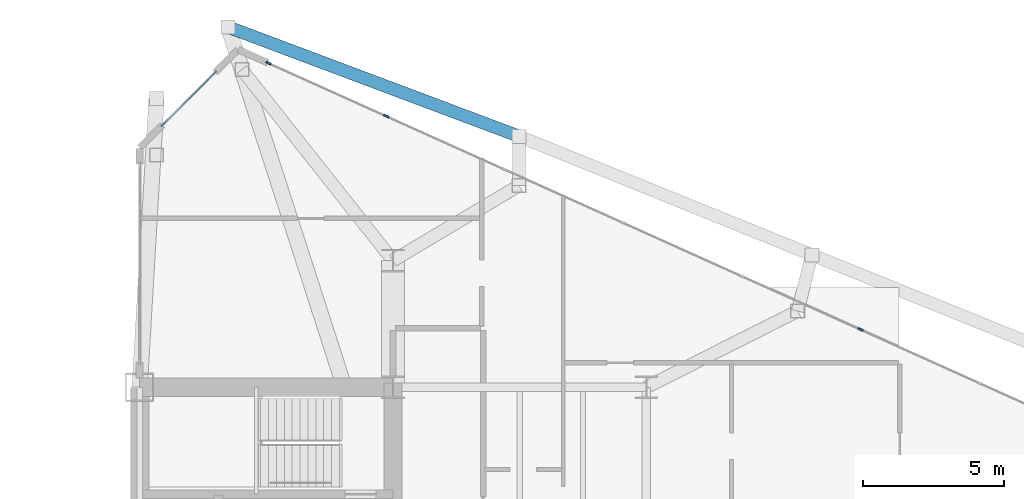
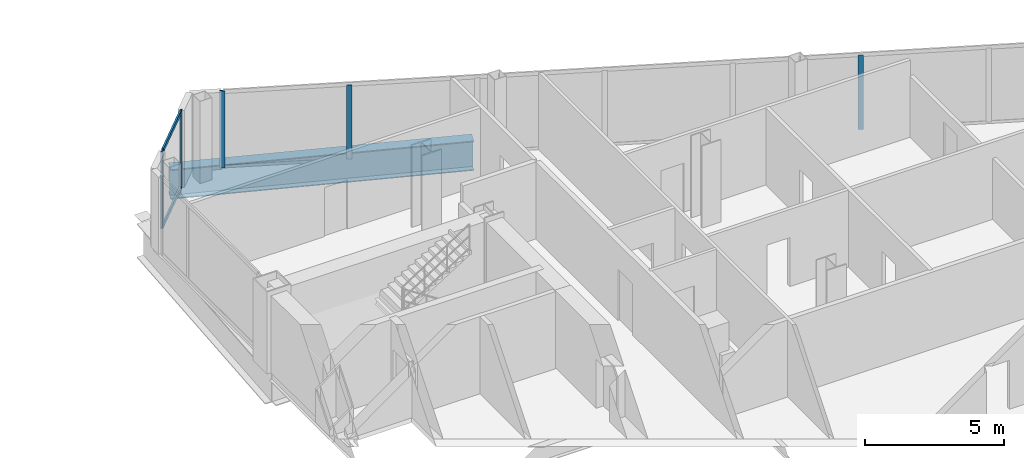
# One storey, part 16 of 29: 7 members, 1 beam, 2 elements without a shape of their own.
"""IFC4 building model written with IfcOpenShell, lengths in metres."""

from ifc_helpers import new_model, si_unit, direction, frame, origin, origin_2d, place, context, subcontext, project, spatial, rectangle, i_section, extrude, source, transform, mapped, material, layer, layer_set, material_profile, profile_set, type_object, type_shapes, element, aggregate, save


model = new_model("IFC4")

# Units and contexts
model_context = context("Model", 3, precision=1e-05, world=origin(), true_north=direction((0.0, 1.0)))
body_context = subcontext(model_context, "Body", "Model", "MODEL_VIEW")
ifc_project = project(units=[si_unit("LENGTHUNIT", "METRE"), si_unit("AREAUNIT", "SQUARE_METRE"), si_unit("VOLUMEUNIT", "CUBIC_METRE"), si_unit("PLANEANGLEUNIT", "RADIAN"), si_unit("MASSUNIT", "GRAM", prefix="KILO")], contexts=[model_context])

# Site, building, storey
site_placement = place(None, origin())
site = spatial("IfcSite", under=ifc_project, at=site_placement, CompositionType="ELEMENT")
building_placement = place(site_placement, origin())
building = spatial("IfcBuilding", under=site, at=building_placement, Name="Seokmaru Belvedere", CompositionType="ELEMENT")
storey_placement = place(building_placement, frame((0.0, 0.0, 62.10009765625)))
storey = spatial("IfcBuildingStorey", under=building, at=storey_placement, Name="L16", CompositionType="ELEMENT", Elevation=62.10009765625)

# Beam
ifc_material_1 = material(Name="Steel HSA650 (650 MPa)", Category="steel")
ifc_material_profile_1 = material_profile(ifc_material_1, i_section(OverallWidth=0.449951171875, OverallDepth=1.300048828125, WebThickness=0.02197265625, FlangeThickness=0.0380859375, at=origin_2d()), Name="BH-1300x450x22x38")
ifc_profile_set_1 = profile_set([ifc_material_profile_1], Name="Steel HSA650 (650 MPa)")
beam_type = type_object("IfcBeamType", Name="Observatory Long-Span Roof Girder BH-1300", PredefinedType="BEAM", material=ifc_profile_set_1)
shared_shape_1 = source(origin(), body_context, "Body", "SweptSolid", [
    extrude(i_section(OverallWidth=0.449951171875, OverallDepth=1.300048828125, WebThickness=0.02197265625, FlangeThickness=0.0380859375, at=origin_2d()), origin(), (0.0, 0.0, 1.0), 11.03857421875),
])
type_shapes(beam_type, [shared_shape_1])
beam_placement = place(storey_placement, frame((30.643310546875, 26.294677734375, -0.8701171875), z_axis=(0.936169110734, -0.351549990907, 0.0), x_axis=(0.351549990907, 0.936169110734, 0.0)))
element("IfcBeam", 1, at=beam_placement, inside=storey, type_object=beam_type, Name="L16 E Faceted Flank Spandrel N-1", PredefinedType="BEAM", context=body_context, shape_type="MappedRepresentation", body=[
    mapped(shared_shape_1, transform((0.0, 0.0, 0.0), scale=1.0)),
])

# Curtain wall, member
ifc_material_2 = material(Name="Bronze Triple Insulating Glass", Category="glass")
ifc_layer = layer(ifc_material_2, 0.195068359375)
ifc_layer_set = layer_set([ifc_layer], Name="Bronze Triple Insulating Glass")
curtain_wall_type = type_object("IfcCurtainWallType", Name="Lower-Mid Tapered Curtain Wall System CW-3", PredefinedType="NOTDEFINED", material=ifc_layer_set)
curtain_wall_1_placement = place(storey_placement, origin())
curtain_wall_1 = element("IfcCurtainWall", 2, at=curtain_wall_1_placement, inside=storey, type_object=curtain_wall_type, Name="L16 Curtain Wall EF3", PredefinedType="NOTDEFINED")
ifc_material_3 = material(Name="Anodised Bronze Aluminium", Category="aluminium")
ifc_material_profile_2 = material_profile(ifc_material_3, rectangle(XDim=0.070068359375, YDim=0.195068359375, at=origin_2d()), Name="CW-M-70x195")
ifc_profile_set_2 = profile_set([ifc_material_profile_2], Name="Anodised Bronze Aluminium")
member_type_1 = type_object("IfcMemberType", Name="Bronze Unitised Mullion 70x195", PredefinedType="MULLION", material=ifc_profile_set_2)
shared_shape_2 = source(origin(), body_context, "Body", "SweptSolid", [
    extrude(rectangle(XDim=0.070068359375, YDim=0.195068359375, at=origin_2d()), origin(), (0.0, 0.0, 1.0), 3.3798828125),
])
member_1_placement = place(storey_placement, frame((32.08056640625, 25.013671875, 0.0), z_axis=(0.0, 0.0, 1.0), x_axis=(-0.41036554765, -0.91192111353, 0.0)))
member_1 = element("IfcMember", 3, at=member_1_placement, type_object=member_type_1, Name="CW:L16:EF3 Mullion 10", PredefinedType="MULLION", context=body_context, shape_type="MappedRepresentation", body=[
    mapped(shared_shape_2, transform((0.0, 0.0, 0.0), scale=1.0)),
])

# Curtain wall, members
curtain_wall_2_placement = place(storey_placement, origin())
curtain_wall_2 = element("IfcCurtainWall", 4, at=curtain_wall_2_placement, inside=storey, type_object=curtain_wall_type, Name="L16 Curtain Wall EF4", PredefinedType="NOTDEFINED")
member_2_placement = place(storey_placement, frame((30.162109375, 24.662109375, 0.0), z_axis=(0.0, 0.0, 1.0), x_axis=(0.707106781187, -0.707106781187, 0.0)))
member_2 = element("IfcMember", 5, at=member_2_placement, type_object=member_type_1, Name="CW:L16:EF4 Mullion 1", PredefinedType="MULLION", context=body_context, shape_type="MappedRepresentation", body=[
    mapped(shared_shape_2, transform((0.0, 0.0, 0.0), scale=1.0)),
])
member_3_placement = place(storey_placement, frame((28.337890625, 22.837890625, 0.0), z_axis=(0.0, 0.0, 1.0), x_axis=(0.707106781187, -0.707106781187, 0.0)))
member_3 = element("IfcMember", 6, at=member_3_placement, type_object=member_type_1, Name="CW:L16:EF4 Mullion 2", PredefinedType="MULLION", context=body_context, shape_type="MappedRepresentation", body=[
    mapped(shared_shape_2, transform((0.0, 0.0, 0.0), scale=1.0)),
])
ifc_material_profile_3 = material_profile(ifc_material_3, rectangle(XDim=0.070068359375, YDim=0.1650390625, at=origin_2d()), Name="CW-T-70x165")
ifc_profile_set_3 = profile_set([ifc_material_profile_3], Name="Anodised Bronze Aluminium")
member_type_2 = type_object("IfcMemberType", Name="Bronze Unitised Transom 70x165", PredefinedType="USERDEFINED", material=ifc_profile_set_3)
shared_shape_3 = source(origin(), body_context, "Body", "SweptSolid", [
    extrude(rectangle(XDim=0.070068359375, YDim=0.1650390625, at=origin_2d()), origin(), (0.0, 0.0, 1.0), 2.509521484375),
])
type_shapes(member_type_2, [shared_shape_3])
member_4_placement = place(storey_placement, frame((30.13720703125, 24.63720703125, 0.034912109375), z_axis=(-0.707106781187, -0.707106781187, 0.0), x_axis=(0.707106781187, -0.707106781187, 0.0)))
member_4 = element("IfcMember", 7, at=member_4_placement, type_object=member_type_2, Name="CW:L16:EF4 Continuous Transom 1", ObjectType="TRANSOM", PredefinedType="USERDEFINED", context=body_context, shape_type="MappedRepresentation", body=[
    mapped(shared_shape_3, transform((0.0, 0.0, 0.0), scale=1.0)),
])
member_5_placement = place(storey_placement, frame((30.13720703125, 24.63720703125, 3.344970703125), z_axis=(-0.707106781187, -0.707106781187, 0.0), x_axis=(0.707106781187, -0.707106781187, 0.0)))
member_5 = element("IfcMember", 8, at=member_5_placement, type_object=member_type_2, Name="CW:L16:EF4 Continuous Transom 2", ObjectType="TRANSOM", PredefinedType="USERDEFINED", context=body_context, shape_type="MappedRepresentation", body=[
    mapped(shared_shape_3, transform((0.0, 0.0, 0.0), scale=1.0)),
])
aggregate(curtain_wall_2, [member_2, member_3, member_4, member_5])

# Member
shared_shape_4 = source(origin(), body_context, "Body", "SweptSolid", [
    extrude(rectangle(XDim=0.070068359375, YDim=0.195068359375, at=origin_2d()), origin(), (0.0, 0.0, 1.0), 3.239990234375),
])
type_shapes(member_type_1, [shared_shape_2, shared_shape_4])
member_6_placement = place(storey_placement, frame((53.105712890625, 15.552490234375, 0.06982421875), z_axis=(0.0, 0.0, 1.0), x_axis=(-0.41036554765, -0.91192111353, 0.0)))
member_6 = element("IfcMember", 9, at=member_6_placement, type_object=member_type_1, Name="CW:L16:EF3 Mullion 5", PredefinedType="MULLION", context=body_context, shape_type="MappedRepresentation", body=[
    mapped(shared_shape_4, transform((0.0, 0.0, 0.0), scale=1.0)),
])

member_7_placement = place(storey_placement, frame((36.260009765625, 23.133056640625, 0.06982421875), z_axis=(0.0, 0.0, 1.0), x_axis=(-0.41036554765, -0.91192111353, 0.0)))
member_7 = element("IfcMember", 10, at=member_7_placement, type_object=member_type_1, Name="CW:L16:EF3 Mullion 9", PredefinedType="MULLION", context=body_context, shape_type="MappedRepresentation", body=[
    mapped(shared_shape_4, transform((0.0, 0.0, 0.0), scale=1.0)),
])

aggregate(curtain_wall_1, [member_6, member_7, member_1])

save(model, "model.ifc")
